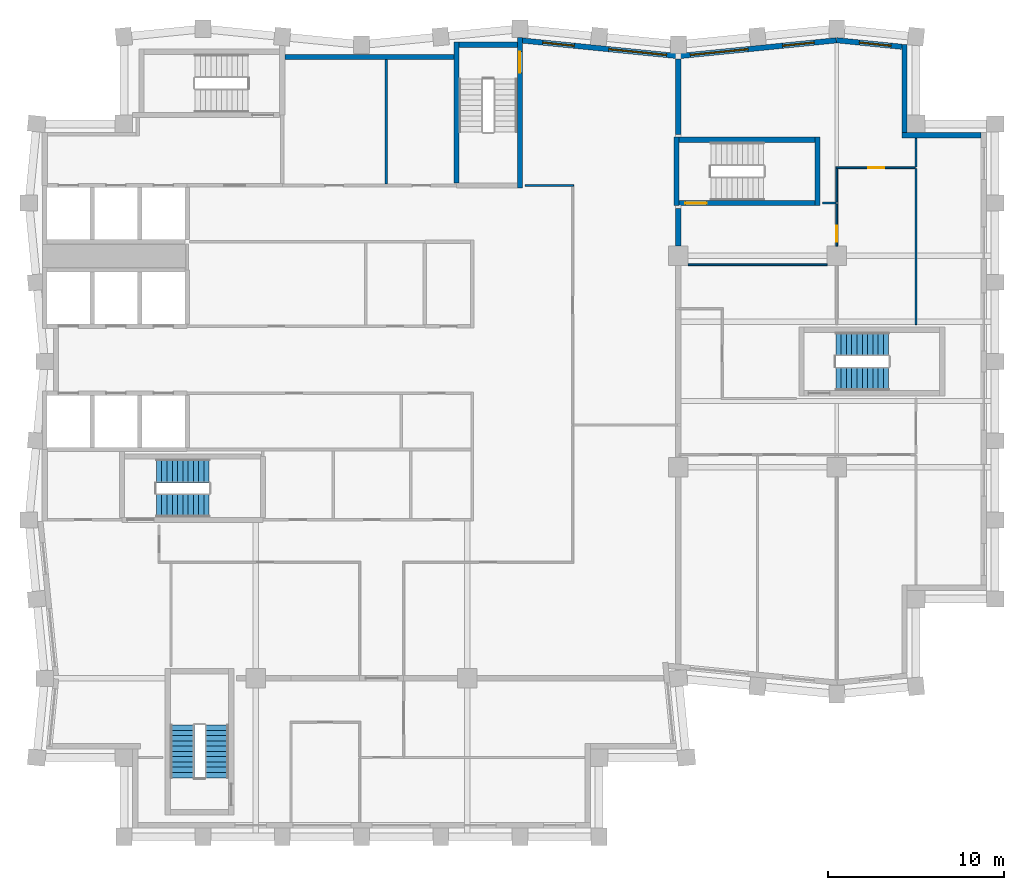
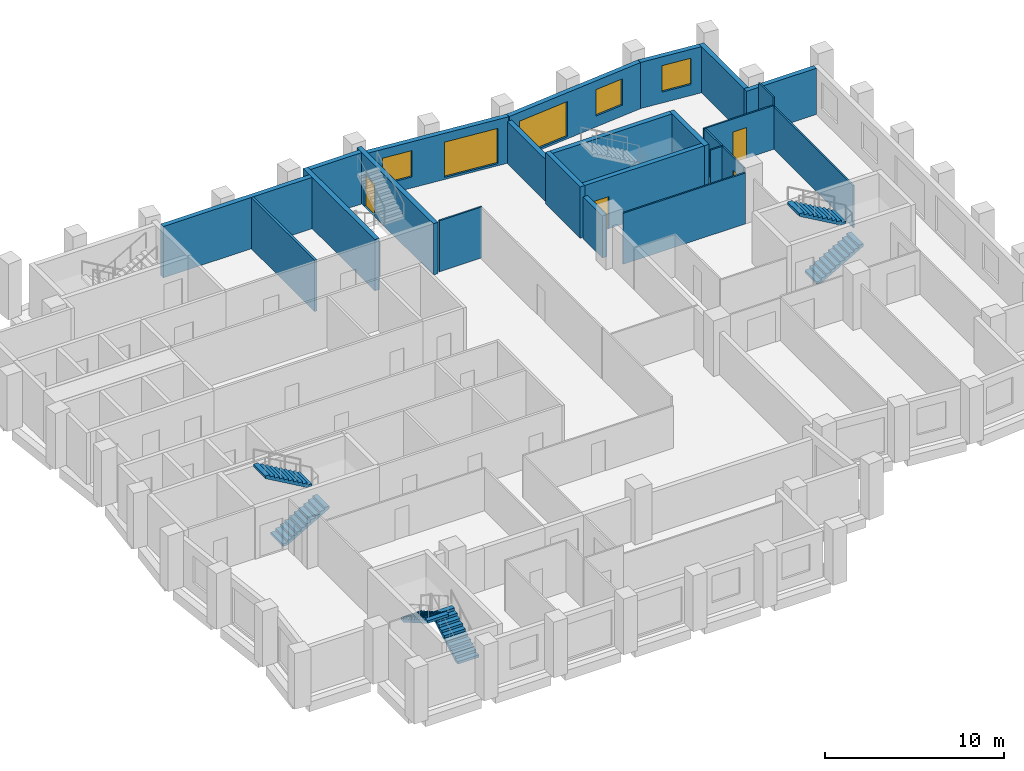
# One storey, part 6 of 8: 24 walls, 6 stair flights, 5 windows, 4 doors, 9 openings, 3 elements without a shape of their own.
"""IFC4 building model written with IfcOpenShell, lengths in metres."""

import ifcopenshell
import ifcopenshell.guid

model = None  # the IFC model being written
_history = None  # IfcOwnerHistory: only IFC2X3 demands one
_inside = {}  # id of a spatial element -> (the spatial element, [elements in it])
_under = {}  # id of a project, library or spatial element -> (it, [spatial elements below it])
_declared = {}  # id of a project -> (the project, [libraries it declares])
_typed = {}  # id of a type object -> (the type object, [elements of that type])
_made_of = {}  # id of a material, layer set ... -> (it, [elements and type objects made of it])


def new_model(schema):
    """Start an empty IFC model of exactly this schema.

    Asked for "IFC4X3", IfcOpenShell would pick the latest addendum, in which some entities
    have other attributes; the version numbers below select the first issue.
    IFC2X3 requires an IfcOwnerHistory on every rooted entity: one is made here for all.
    """
    global model, _history
    if schema == "IFC4X3":
        model = ifcopenshell.file(schema_version=(4, 3, 0, 0))
    else:
        model = ifcopenshell.file(schema=schema)
    _inside.clear()
    _under.clear()
    _declared.clear()
    _typed.clear()
    _made_of.clear()
    _history = None
    if model.schema == "IFC2X3":
        org = make("IfcOrganization", Name="unknown")
        user = make(
            "IfcPersonAndOrganization",
            ThePerson=make("IfcPerson", FamilyName="unknown"),
            TheOrganization=org,
        )
        app = make(
            "IfcApplication",
            ApplicationDeveloper=org,
            Version="unknown",
            ApplicationFullName="unknown",
            ApplicationIdentifier="unknown",
        )
        _history = make(
            "IfcOwnerHistory",
            OwningUser=user,
            OwningApplication=app,
            ChangeAction="ADDED",
            CreationDate=0,
        )
    return model


def make(cls, **values):
    """One entity of the class cls with the attributes given. An attribute that is None is left unset."""
    return model.create_entity(
        cls, **{name: value for name, value in values.items() if value is not None}
    )


def rooted(cls, **values):
    """An entity with a GlobalId (a new one), such as an element, a storey or a relation."""
    return make(cls, GlobalId=ifcopenshell.guid.new(), OwnerHistory=_history, **values)


def si_unit(unit_type, name, prefix=None):
    """IfcSIUnit, for example si_unit("LENGTHUNIT", "METRE", prefix="MILLI")."""
    return make("IfcSIUnit", UnitType=unit_type, Prefix=prefix, Name=name)


def assignment(units):
    """IfcUnitAssignment: the units of a project."""
    return None if units is None else make("IfcUnitAssignment", Units=units)


def point(xyz):
    """IfcCartesianPoint."""
    return None if xyz is None else make("IfcCartesianPoint", Coordinates=xyz)


def direction(xyz):
    """IfcDirection."""
    return None if xyz is None else make("IfcDirection", DirectionRatios=xyz)


def frame(location, z_axis=None, x_axis=None):
    """IfcAxis2Placement3D, a coordinate frame: its origin and axes. An axis left out is left unset."""
    return make(
        "IfcAxis2Placement3D",
        Location=point(location),
        Axis=direction(z_axis),
        RefDirection=direction(x_axis),
    )


def frame_2d(location, x_axis=None):
    """IfcAxis2Placement2D, a coordinate frame in the plane: its origin and x axis."""
    return make(
        "IfcAxis2Placement2D", Location=point(location), RefDirection=direction(x_axis)
    )


def origin():
    """The frame at (0, 0, 0) with its axes left unset."""
    return frame((0.0, 0.0, 0.0))


def place(relative_to, where):
    """IfcLocalPlacement: puts the frame where relative to a parent placement (None: the world)."""
    return make(
        "IfcLocalPlacement", PlacementRelTo=relative_to, RelativePlacement=where
    )


def context(
    kind, dimensions, precision=None, world=None, true_north=None, identifier=None
):
    """IfcGeometricRepresentationContext, for example the 3D "Model" context."""
    return make(
        "IfcGeometricRepresentationContext",
        ContextIdentifier=identifier,
        ContextType=kind,
        CoordinateSpaceDimension=dimensions,
        Precision=precision,
        WorldCoordinateSystem=world,
        TrueNorth=true_north,
    )


def subcontext(parent, identifier, kind, view, scale=None):
    """IfcGeometricRepresentationSubContext, for example "Body" below "Model"."""
    return make(
        "IfcGeometricRepresentationSubContext",
        ContextIdentifier=identifier,
        ContextType=kind,
        ParentContext=parent,
        TargetScale=scale,
        TargetView=view,
    )


def project(units=None, contexts=None):
    """IfcProject with its units and contexts."""
    return rooted(
        "IfcProject",
        Name="project",
        RepresentationContexts=contexts,
        UnitsInContext=assignment(units),
    )


def spatial(cls, under=None, at=None, **own):
    """A site, building, storey or space (cls), placed at a placement, below another one or the project."""
    s = rooted(cls, ObjectPlacement=at, **own)
    if under is not None:
        _under.setdefault(under.id(), (under, []))[1].append(s)
    return s


def polyline(points):
    """IfcPolyline through the points."""
    return make("IfcPolyline", Points=[point(p) for p in points])


def profile(cls, at=None, kind="AREA", **sizes):
    """A parametric profile (cls). Its sizes go by their IFC names, for example OverallWidth=200.0."""
    return make(cls, ProfileType=kind, Position=at, **sizes)


def rectangle(**sizes):
    """IfcRectangleProfileDef."""
    return profile("IfcRectangleProfileDef", **sizes)


def outline(outer, holes=None, kind="AREA"):
    """IfcArbitraryClosedProfileDef: a profile drawn as a closed curve; with holes, ...WithVoids."""
    if holes is None:
        return make("IfcArbitraryClosedProfileDef", ProfileType=kind, OuterCurve=outer)
    return make(
        "IfcArbitraryProfileDefWithVoids",
        ProfileType=kind,
        OuterCurve=outer,
        InnerCurves=holes,
    )


def extrude(swept, where, along, depth):
    """IfcExtrudedAreaSolid: the profile swept, set in the frame where, extruded along a direction by depth."""
    return make(
        "IfcExtrudedAreaSolid",
        SweptArea=swept,
        Position=where,
        ExtrudedDirection=direction(along),
        Depth=depth,
    )


def shape(context_of_items, identifier, shape_type, items):
    """IfcShapeRepresentation: the items that make up one representation, for example the "Body"."""
    return make(
        "IfcShapeRepresentation",
        ContextOfItems=context_of_items,
        RepresentationIdentifier=identifier,
        RepresentationType=shape_type,
        Items=items,
    )


def material(Name=None, Category=None):
    """IfcMaterial."""
    return make("IfcMaterial", Name=Name, Category=Category)


def layer(
    of_material, thickness, ventilated=None, Name=None, Category=None, Priority=None
):
    """IfcMaterialLayer: one layer of a wall or slab, of a material (None: an air gap)."""
    return make(
        "IfcMaterialLayer",
        Material=of_material,
        LayerThickness=thickness,
        IsVentilated=ventilated,
        Name=Name,
        Category=Category,
        Priority=Priority,
    )


def layer_set(layers, Name=None):
    """IfcMaterialLayerSet."""
    return make("IfcMaterialLayerSet", MaterialLayers=layers, LayerSetName=Name)


def made_of(thing, what):
    """Note that an element or type object is made of a material, layer set ...; save() writes the relation."""
    if what is not None:
        _made_of.setdefault(what.id(), (what, []))[1].append(thing)
    return thing


def type_object(cls, material=None, **own):
    """A type object (cls), such as IfcWallType, which elements share."""
    return made_of(rooted(cls, **own), material)


def element(
    cls,
    number,
    at=None,
    inside=None,
    cuts=None,
    type_object=None,
    material=None,
    context=None,
    identifier="Body",
    shape_type=None,
    held_by="IfcProductDefinitionShape",
    body=None,
    shapes=None,
    **own,
):
    """One element of the class cls, such as IfcWall. Its Tag is "e" and its number.

    at: its placement. inside: the storey or other place that contains it. cuts: it is an
    opening in that element (IfcRelVoidsElement). A single representation is given by context,
    identifier, shape_type and body (its items); several are given by shapes. held_by: the class
    of the entity that holds the representations. save() writes the other relations.
    """
    e = rooted(cls, Tag="e%d" % number, ObjectPlacement=at, **own)
    if body is not None:
        shapes = [shape(context, identifier, shape_type, body)]
    if shapes is not None:
        e.Representation = make(held_by, Representations=shapes)
    if inside is not None:
        _inside.setdefault(inside.id(), (inside, []))[1].append(e)
    if cuts is not None:
        rooted(
            "IfcRelVoidsElement", RelatingBuildingElement=cuts, RelatedOpeningElement=e
        )
    if type_object is not None:
        _typed.setdefault(type_object.id(), (type_object, []))[1].append(e)
    return made_of(e, material)


def fill(opening, filler):
    """IfcRelFillsElement: the door or window that sits in an opening."""
    return rooted(
        "IfcRelFillsElement",
        RelatingOpeningElement=opening,
        RelatedBuildingElement=filler,
    )


def aggregate(whole, parts):
    """IfcRelAggregates: a whole, such as a stair, and the parts it consists of."""
    return rooted("IfcRelAggregates", RelatingObject=whole, RelatedObjects=parts)


def save(model, path):
    """Write the relations noted so far, then the file.

    IfcRelAggregates (storeys below a building ...), IfcRelContainedInSpatialStructure (elements
    in a storey), IfcRelDefinesByType, IfcRelAssociatesMaterial and IfcRelDeclares: one each for
    every whole, place, type object, material and project.
    """
    for whole, parts in _under.values():
        aggregate(whole, parts)
    for where, things in _inside.values():
        rooted(
            "IfcRelContainedInSpatialStructure",
            RelatedElements=things,
            RelatingStructure=where,
        )
    for kind, things in _typed.values():
        rooted("IfcRelDefinesByType", RelatedObjects=things, RelatingType=kind)
    for what, things in _made_of.values():
        rooted("IfcRelAssociatesMaterial", RelatedObjects=things, RelatingMaterial=what)
    for by, libraries in _declared.values():
        rooted("IfcRelDeclares", RelatingContext=by, RelatedDefinitions=libraries)
    model.write(path)


model = new_model("IFC4")

# Units and contexts
model_context = context("Model", 3, precision=1e-05, world=origin(), true_north=direction((0.0, 1.0)))
body_context = subcontext(model_context, "Body", "Model", "MODEL_VIEW")
ifc_project = project(units=[si_unit("LENGTHUNIT", "METRE"), si_unit("AREAUNIT", "SQUARE_METRE"), si_unit("VOLUMEUNIT", "CUBIC_METRE"), si_unit("PLANEANGLEUNIT", "RADIAN"), si_unit("MASSUNIT", "GRAM", prefix="KILO")], contexts=[model_context])

# Site, building, storey
site_placement = place(None, origin())
site = spatial("IfcSite", under=ifc_project, at=site_placement, CompositionType="ELEMENT")
building_placement = place(site_placement, origin())
building = spatial("IfcBuilding", under=site, at=building_placement, Name="Brondeck Convention Tower", CompositionType="ELEMENT")
storey_placement = place(building_placement, frame((0.0, 0.0, 210.199951171875)))
storey = spatial("IfcBuildingStorey", under=building, at=storey_placement, Name="L51", CompositionType="ELEMENT", Elevation=210.199951171875)

# Walls
ifc_material_1 = material(Name="Concrete compartment wall C30/37", Category="concrete")
ifc_layer_1 = layer(ifc_material_1, 0.300048828125)
ifc_layer_set_1 = layer_set([ifc_layer_1], Name="Compartment wall 300")
wall_type_1 = type_object("IfcWallType", Name="Compartment wall 300", PredefinedType="PARTITIONING", material=ifc_layer_set_1)
wall_1_placement = place(storey_placement, frame((36.0, 51.554931640625, 0.0), z_axis=(0.0, 0.0, 1.0), x_axis=(0.0, 1.0, 0.0)))
element("IfcWall", 1, at=wall_1_placement, inside=storey, type_object=wall_type_1, Name="FLR-L51-W047", PredefinedType="PARTITIONING", context=body_context, shape_type="SweptSolid", body=[
    extrude(rectangle(XDim=2.14501953125, YDim=0.300048828125, at=frame_2d((1.072509765625, 0.0))), origin(), (0.0, 0.0, 1.0), 2.880126953125),
])
wall_2_placement = place(storey_placement, frame((36.0, 57.89990234375, 0.0), z_axis=(0.0, 0.0, 1.0), x_axis=(0.0, 1.0, 0.0)))
element("IfcWall", 2, at=wall_2_placement, inside=storey, type_object=wall_type_1, Name="FLR-L51-W055", PredefinedType="PARTITIONING", context=body_context, shape_type="SweptSolid", body=[
    extrude(rectangle(XDim=4.2763671875, YDim=0.300048828125, at=frame_2d((2.13818359375, 0.0))), origin(), (0.0, 0.0, 1.0), 2.880126953125),
])
ifc_material_2 = material(Name="Concrete C50/60", Category="concrete")
ifc_layer_2 = layer(ifc_material_2, 0.300048828125)
ifc_layer_set_2 = layer_set([ifc_layer_2], Name="Core outer wall 300 Concrete C50/60")
wall_type_2 = type_object("IfcWallType", Name="Core outer wall 300 Concrete C50/60", PredefinedType="SHEAR", material=ifc_layer_set_2)
wall_3_placement = place(storey_placement, frame((13.64990234375, 62.300048828125, 0.0), z_axis=(0.0, 0.0, 1.0), x_axis=(1.0, 0.0, 0.0)))
element("IfcWall", 3, at=wall_3_placement, inside=storey, type_object=wall_type_2, Name="L51 core wall", PredefinedType="SHEAR", context=body_context, shape_type="SweptSolid", body=[
    extrude(rectangle(XDim=9.60009765625, YDim=0.300048828125, at=frame_2d((4.800048828125, 0.0))), origin(), (0.0, 0.0, 1.0), 3.5),
])
ifc_material_3 = material(Name="Fire-rated gypsum board partition")
ifc_layer_3 = layer(ifc_material_3, 0.14990234375)
ifc_layer_set_3 = layer_set([ifc_layer_3], Name="Core partition 150 EI 60")
wall_type_3 = type_object("IfcWallType", Name="Core partition 150 EI 60", PredefinedType="PARTITIONING", material=ifc_layer_set_3)
wall_4_placement = place(storey_placement, frame((19.39990234375, 55.074951171875, 0.0), z_axis=(0.0, 0.0, 1.0), x_axis=(0.0, 1.0, 0.0)))
element("IfcWall", 4, at=wall_4_placement, inside=storey, type_object=wall_type_3, Name="L51 core wall", PredefinedType="PARTITIONING", context=body_context, shape_type="SweptSolid", body=[
    extrude(rectangle(XDim=7.074951171875, YDim=0.14990234375, at=frame_2d((3.53759765625, 0.0))), origin(), (0.0, 0.0, 1.0), 3.5),
])
ifc_material_4 = material(Name="Precast concrete C50/60 bronze finish", Category="concrete")
ifc_layer_4 = layer(ifc_material_4, 0.070068359375, Name="Bronze precast facing")
ifc_material_5 = material(Name="Mineral wool")
ifc_layer_5 = layer(ifc_material_5, 0.159912109375, Name="Insulation")
ifc_material_6 = material(Name="Concrete C35/45", Category="concrete")
ifc_layer_6 = layer(ifc_material_6, 0.070068359375, Name="Backing")
ifc_layer_set_4 = layer_set([ifc_layer_4, ifc_layer_5, ifc_layer_6], Name="External infill wall, precast concrete C50/60 bronze facing")
wall_type_4 = type_object("IfcWallType", Name="External infill wall, precast concrete C50/60 bronze facing", PredefinedType="SOLIDWALL", material=ifc_layer_set_4)
wall_5_placement = place(storey_placement, frame((48.699951171875, 57.85009765625, 0.0), z_axis=(0.0, 0.0, 1.0), x_axis=(1.0, 0.0, 0.0)))
element("IfcWall", 5, at=wall_5_placement, inside=storey, type_object=wall_type_4, Name="ENV-EW-L51-P2-NC-NEA54-01", PredefinedType="SOLIDWALL", context=body_context, shape_type="SweptSolid", body=[
    extrude(rectangle(XDim=4.501953125, YDim=0.300048828125, at=frame_2d((2.2509765625, 0.0))), origin(), (0.0, 0.0, 1.0), 3.150146484375),
])
wall_6_placement = place(storey_placement, frame((48.85009765625, 62.99755859375, 0.0), z_axis=(0.0, 0.0, 1.0), x_axis=(0.0, -1.0, 0.0)))
element("IfcWall", 6, at=wall_6_placement, inside=storey, type_object=wall_type_4, Name="ENV-EW-L51-P2-NC-NEA54-02", PredefinedType="SOLIDWALL", context=body_context, shape_type="SweptSolid", body=[
    extrude(rectangle(XDim=4.99951171875, YDim=0.300048828125, at=frame_2d((2.499755859375, 0.0))), origin(), (0.0, 0.0, 1.0), 3.150146484375),
])

# Wall, opening, window
wall_7_placement = place(storey_placement, frame((44.985107421875, 63.248291015625, 0.0), z_axis=(0.0, 0.0, 1.0), x_axis=(0.995037837869, -0.099497242219, 0.0)))
wall_7 = element("IfcWall", 7, at=wall_7_placement, inside=storey, type_object=wall_type_4, Name="ENV-EW-L51-P2-A-N-10", PredefinedType="SOLIDWALL", context=body_context, shape_type="SweptSolid", body=[
    extrude(rectangle(XDim=3.732177734375, YDim=0.300048828125, at=frame_2d((1.8662109375, 0.0))), origin(), (0.0, 0.0, 1.0), 3.150146484375),
])
opening_1_placement = place(wall_7_placement, frame((1.311279296875, 0.0, 0.75)))
opening_1 = element("IfcOpeningElement", 8, at=opening_1_placement, cuts=wall_7, Name="Opening W10", PredefinedType="OPENING", context=body_context, shape_type="SweptSolid", body=[
    extrude(rectangle(XDim=1.800048828125, YDim=1.800048828125, at=frame_2d((0.89990234375, 0.89990234375))), frame((0.0, 0.159912109375, 0.0), z_axis=(0.0, -1.0, 0.0), x_axis=(1.0, 0.0, 0.0)), (0.0, 0.0, 1.0), 0.320068359375),
])
ifc_material_7 = material(Name="Bronze tinted double glazing", Category="glass")
window_type_1 = type_object("IfcWindowType", Name="Punched window, bronze tinted", PartitioningType="SINGLE_PANEL", PredefinedType="WINDOW", material=ifc_material_7)
window_1_placement = place(opening_1_placement, origin())
window_1 = element("IfcWindow", 9, at=window_1_placement, inside=storey, type_object=window_type_1, Name="ENV-WN-L51-P2-A-N-10", OverallHeight=1.800048828125, OverallWidth=1.800048828125, PartitioningType="SINGLE_PANEL", PredefinedType="WINDOW", context=body_context, shape_type="SweptSolid", body=[
    extrude(rectangle(XDim=1.800048828125, YDim=1.800048828125, at=frame_2d((0.89990234375, 0.89990234375))), frame((0.0, 0.030029296875, 0.0), z_axis=(0.0, -1.0, 0.0), x_axis=(1.0, 0.0, 0.0)), (0.0, 0.0, 1.0), 0.06005859375),
])
fill(opening_1, window_1)

# Wall, openings, windows
wall_8_placement = place(storey_placement, frame((35.985107421875, 62.34521484375, 0.0), z_axis=(0.0, 0.0, 1.0), x_axis=(0.995035316196, 0.099522457379, 0.0)))
wall_8 = element("IfcWall", 10, at=wall_8_placement, inside=storey, type_object=wall_type_4, Name="ENV-EW-L51-P2-A-N-09", PredefinedType="SOLIDWALL", context=body_context, shape_type="SweptSolid", body=[
    extrude(rectangle(XDim=9.030029296875, YDim=0.300048828125, at=frame_2d((4.51513671875, 0.0))), origin(), (0.0, 0.0, 1.0), 3.150146484375),
])
opening_2_placement = place(wall_8_placement, frame((0.691162109375, 0.0, 0.14990234375)))
opening_2 = element("IfcOpeningElement", 11, at=opening_2_placement, cuts=wall_8, Name="Opening W9", PredefinedType="OPENING", context=body_context, shape_type="SweptSolid", body=[
    extrude(rectangle(XDim=3.300048828125, YDim=2.39990234375, at=frame_2d((1.64990234375, 1.199951171875))), frame((0.0, 0.159912109375, 0.0), z_axis=(0.0, -1.0, 0.0), x_axis=(1.0, 0.0, 0.0)), (0.0, 0.0, 1.0), 0.320068359375),
])
opening_3_placement = place(wall_8_placement, frame((5.963623046875, 0.0, 0.75)))
opening_3 = element("IfcOpeningElement", 12, at=opening_3_placement, cuts=wall_8, Name="Opening W10", PredefinedType="OPENING", context=body_context, shape_type="SweptSolid", body=[
    extrude(rectangle(XDim=1.800048828125, YDim=1.800048828125, at=frame_2d((0.89990234375, 0.89990234375))), frame((0.0, 0.159912109375, 0.0), z_axis=(0.0, -1.0, 0.0), x_axis=(1.0, 0.0, 0.0)), (0.0, 0.0, 1.0), 0.320068359375),
])
window_type_2 = type_object("IfcWindowType", Name="Glazed flute window, bronze tinted", PartitioningType="SINGLE_PANEL", PredefinedType="WINDOW", material=ifc_material_7)
window_2_placement = place(opening_2_placement, origin())
window_2 = element("IfcWindow", 13, at=window_2_placement, inside=storey, type_object=window_type_2, Name="ENV-WN-L51-P2-A-N-08", OverallHeight=2.39990234375, OverallWidth=3.300048828125, PartitioningType="SINGLE_PANEL", PredefinedType="WINDOW", context=body_context, shape_type="SweptSolid", body=[
    extrude(rectangle(XDim=3.300048828125, YDim=2.39990234375, at=frame_2d((1.64990234375, 1.199951171875))), frame((0.0, 0.030029296875, 0.0), z_axis=(0.0, -1.0, 0.0), x_axis=(1.0, 0.0, 0.0)), (0.0, 0.0, 1.0), 0.06005859375),
])
fill(opening_2, window_2)
window_3_placement = place(opening_3_placement, origin())
window_3 = element("IfcWindow", 14, at=window_3_placement, inside=storey, type_object=window_type_1, Name="ENV-WN-L51-P2-A-N-09", OverallHeight=1.800048828125, OverallWidth=1.800048828125, PartitioningType="SINGLE_PANEL", PredefinedType="WINDOW", context=body_context, shape_type="SweptSolid", body=[
    extrude(rectangle(XDim=1.800048828125, YDim=1.800048828125, at=frame_2d((0.89990234375, 0.89990234375))), frame((0.0, 0.030029296875, 0.0), z_axis=(0.0, -1.0, 0.0), x_axis=(1.0, 0.0, 0.0)), (0.0, 0.0, 1.0), 0.06005859375),
])
fill(opening_3, window_3)

wall_9_placement = place(storey_placement, frame((27.084716796875, 63.23828125, 0.0), z_axis=(0.0, 0.0, 1.0), x_axis=(0.995035836657, -0.099517253618, 0.0)))
wall_9 = element("IfcWall", 15, at=wall_9_placement, inside=storey, type_object=wall_type_4, Name="ENV-EW-L51-P2-A-N-07", PredefinedType="SOLIDWALL", context=body_context, shape_type="SweptSolid", body=[
    extrude(rectangle(XDim=8.929931640625, YDim=0.300048828125, at=frame_2d((4.46484375, 0.0))), origin(), (0.0, 0.0, 1.0), 3.150146484375),
])
opening_4_placement = place(wall_9_placement, frame((1.211181640625, 0.0, 0.75)))
opening_4 = element("IfcOpeningElement", 16, at=opening_4_placement, cuts=wall_9, Name="Opening W10", PredefinedType="OPENING", context=body_context, shape_type="SweptSolid", body=[
    extrude(rectangle(XDim=1.800048828125, YDim=1.800048828125, at=frame_2d((0.89990234375, 0.89990234375))), frame((0.0, 0.159912109375, 0.0), z_axis=(0.0, -1.0, 0.0), x_axis=(1.0, 0.0, 0.0)), (0.0, 0.0, 1.0), 0.320068359375),
])
opening_5_placement = place(wall_9_placement, frame((4.983642578125, 0.0, 0.14990234375)))
opening_5 = element("IfcOpeningElement", 17, at=opening_5_placement, cuts=wall_9, Name="Opening W9", PredefinedType="OPENING", context=body_context, shape_type="SweptSolid", body=[
    extrude(rectangle(XDim=3.300048828125, YDim=2.39990234375, at=frame_2d((1.64990234375, 1.199951171875))), frame((0.0, 0.159912109375, 0.0), z_axis=(0.0, -1.0, 0.0), x_axis=(1.0, 0.0, 0.0)), (0.0, 0.0, 1.0), 0.320068359375),
])
window_4_placement = place(opening_5_placement, origin())
window_4 = element("IfcWindow", 18, at=window_4_placement, inside=storey, type_object=window_type_2, Name="ENV-WN-L51-P2-A-N-07", OverallHeight=2.39990234375, OverallWidth=3.300048828125, PartitioningType="SINGLE_PANEL", PredefinedType="WINDOW", context=body_context, shape_type="SweptSolid", body=[
    extrude(rectangle(XDim=3.300048828125, YDim=2.39990234375, at=frame_2d((1.64990234375, 1.199951171875))), frame((0.0, 0.030029296875, 0.0), z_axis=(0.0, -1.0, 0.0), x_axis=(1.0, 0.0, 0.0)), (0.0, 0.0, 1.0), 0.06005859375),
])
fill(opening_5, window_4)
window_5_placement = place(opening_4_placement, origin())
window_5 = element("IfcWindow", 19, at=window_5_placement, inside=storey, type_object=window_type_1, Name="ENV-WN-L51-P2-A-N-06", OverallHeight=1.800048828125, OverallWidth=1.800048828125, PartitioningType="SINGLE_PANEL", PredefinedType="WINDOW", context=body_context, shape_type="SweptSolid", body=[
    extrude(rectangle(XDim=1.800048828125, YDim=1.800048828125, at=frame_2d((0.89990234375, 0.89990234375))), frame((0.0, 0.030029296875, 0.0), z_axis=(0.0, -1.0, 0.0), x_axis=(1.0, 0.0, 0.0)), (0.0, 0.0, 1.0), 0.06005859375),
])
fill(opening_4, window_5)

# Walls
ifc_material_8 = material(Name="Gypsum board partition on steel studs", Category="steel")
ifc_layer_7 = layer(ifc_material_8, 0.10009765625)
ifc_layer_set_5 = layer_set([ifc_layer_7], Name="Room partition 100")
wall_type_5 = type_object("IfcWallType", Name="Room partition 100", PredefinedType="PARTITIONING", material=ifc_layer_set_5)
wall_10_placement = place(storey_placement, frame((49.5, 47.10009765625, 0.0), z_axis=(0.0, 0.0, 1.0), x_axis=(0.0, 1.0, 0.0)))
element("IfcWall", 20, at=wall_10_placement, inside=storey, type_object=wall_type_5, Name="FLR-L51-W041", PredefinedType="PARTITIONING", context=body_context, shape_type="SweptSolid", body=[
    extrude(rectangle(XDim=8.849853515625, YDim=0.10009765625, at=frame_2d((4.4248046875, 0.0))), origin(), (0.0, 0.0, 1.0), 2.880126953125),
])
wall_11_placement = place(storey_placement, frame((44.445068359375, 50.5, 0.0), z_axis=(0.0, 0.0, 1.0), x_axis=(-1.0, 0.0, 0.0)))
element("IfcWall", 21, at=wall_11_placement, inside=storey, type_object=wall_type_5, Name="FLR-L51-W046", PredefinedType="PARTITIONING", context=body_context, shape_type="SweptSolid", body=[
    extrude(rectangle(XDim=7.89013671875, YDim=0.10009765625, at=frame_2d((3.945068359375, 0.0))), origin(), (0.0, 0.0, 1.0), 3.47998046875),
])

# Wall, opening, door
wall_12_placement = place(storey_placement, frame((45.0, 53.949951171875, 0.0), z_axis=(0.0, 0.0, 1.0), x_axis=(0.0, -1.0, 0.0)))
wall_12 = element("IfcWall", 22, at=wall_12_placement, inside=storey, type_object=wall_type_5, Name="FLR-L51-W048", PredefinedType="PARTITIONING", context=body_context, shape_type="SweptSolid", body=[
    extrude(rectangle(XDim=2.39501953125, YDim=0.10009765625, at=frame_2d((1.197509765625, 0.0))), origin(), (0.0, 0.0, 1.0), 2.97998046875),
])
opening_6_placement = place(wall_12_placement, frame((1.25, 0.0, 0.0)))
opening_6 = element("IfcOpeningElement", 23, at=opening_6_placement, cuts=wall_12, Name="Opening OF-L-007", PredefinedType="OPENING", context=body_context, shape_type="SweptSolid", body=[
    extrude(rectangle(XDim=0.89990234375, YDim=2.10009765625, at=frame_2d((0.449951171875, 1.050048828125))), frame((0.0, 0.06005859375, 0.0), z_axis=(0.0, -1.0, 0.0), x_axis=(1.0, 0.0, 0.0)), (0.0, 0.0, 1.0), 0.1201171875),
])
ifc_material_9 = material(Name="Solid timber door leaf", Category="wood")
door_type_1 = type_object("IfcDoorType", Name="Single door 900", OperationType="NOTDEFINED", PredefinedType="DOOR", material=ifc_material_9)
door_1_placement = place(opening_6_placement, origin())
door_1 = element("IfcDoor", 24, at=door_1_placement, inside=storey, type_object=door_type_1, Name="Door OF-L-007", OperationType="SINGLE_SWING_LEFT", OverallHeight=2.10009765625, OverallWidth=0.89990234375, PredefinedType="DOOR", context=body_context, shape_type="SweptSolid", body=[
    extrude(rectangle(XDim=0.89990234375, YDim=2.10009765625, at=frame_2d((0.449951171875, 1.050048828125))), frame((0.0, 0.02490234375, 0.0), z_axis=(0.0, -1.0, 0.0), x_axis=(1.0, 0.0, 0.0)), (0.0, 0.0, 1.0), 0.050048828125),
])
fill(opening_6, door_1)

# Walls
wall_13_placement = place(storey_placement, frame((44.199951171875, 54.0, 0.0), z_axis=(0.0, 0.0, 1.0), x_axis=(1.0, 0.0, 0.0)))
element("IfcWall", 25, at=wall_13_placement, inside=storey, type_object=wall_type_5, Name="FLR-L51-W049", PredefinedType="PARTITIONING", context=body_context, shape_type="SweptSolid", body=[
    extrude(rectangle(XDim=0.75, YDim=0.10009765625, at=frame_2d((0.375, 0.0))), origin(), (0.0, 0.0, 1.0), 2.97998046875),
])
wall_14_placement = place(storey_placement, frame((45.0, 54.050048828125, 0.0), z_axis=(0.0, 0.0, 1.0), x_axis=(0.0, 1.0, 0.0)))
element("IfcWall", 26, at=wall_14_placement, inside=storey, type_object=wall_type_5, Name="FLR-L51-W050", PredefinedType="PARTITIONING", context=body_context, shape_type="SweptSolid", body=[
    extrude(rectangle(XDim=1.89990234375, YDim=0.10009765625, at=frame_2d((0.949951171875, 0.0))), origin(), (0.0, 0.0, 1.0), 2.97998046875),
])
wall_15_placement = place(storey_placement, frame((27.300048828125, 55.0, 0.0), z_axis=(0.0, 0.0, 1.0), x_axis=(1.0, 0.0, 0.0)))
element("IfcWall", 27, at=wall_15_placement, inside=storey, type_object=wall_type_5, Name="FLR-L51-W052", PredefinedType="PARTITIONING", context=body_context, shape_type="SweptSolid", body=[
    extrude(rectangle(XDim=2.75, YDim=0.10009765625, at=frame_2d((1.375, 0.0))), origin(), (0.0, 0.0, 1.0), 3.47998046875),
])

# Wall, opening, door
wall_16_placement = place(storey_placement, frame((44.949951171875, 56.0, 0.0), z_axis=(0.0, 0.0, 1.0), x_axis=(1.0, 0.0, 0.0)))
wall_16 = element("IfcWall", 28, at=wall_16_placement, inside=storey, type_object=wall_type_5, Name="FLR-L51-W053", PredefinedType="PARTITIONING", context=body_context, shape_type="SweptSolid", body=[
    extrude(rectangle(XDim=4.5, YDim=0.10009765625, at=frame_2d((2.25, 0.0))), origin(), (0.0, 0.0, 1.0), 2.97998046875),
])
opening_7_placement = place(wall_16_placement, frame((1.85009765625, 0.0, 0.0)))
opening_7 = element("IfcOpeningElement", 29, at=opening_7_placement, cuts=wall_16, Name="Opening OF-L-008", PredefinedType="OPENING", context=body_context, shape_type="SweptSolid", body=[
    extrude(rectangle(XDim=0.89990234375, YDim=2.10009765625, at=frame_2d((0.449951171875, 1.050048828125))), frame((0.0, 0.06005859375, 0.0), z_axis=(0.0, -1.0, 0.0), x_axis=(1.0, 0.0, 0.0)), (0.0, 0.0, 1.0), 0.1201171875),
])
door_2_placement = place(opening_7_placement, origin())
door_2 = element("IfcDoor", 30, at=door_2_placement, inside=storey, type_object=door_type_1, Name="Door OF-L-008", OperationType="SINGLE_SWING_LEFT", OverallHeight=2.10009765625, OverallWidth=0.89990234375, PredefinedType="DOOR", context=body_context, shape_type="SweptSolid", body=[
    extrude(rectangle(XDim=0.89990234375, YDim=2.10009765625, at=frame_2d((0.449951171875, 1.050048828125))), frame((0.0, 0.02490234375, 0.0), z_axis=(0.0, -1.0, 0.0), x_axis=(1.0, 0.0, 0.0)), (0.0, 0.0, 1.0), 0.050048828125),
])
fill(opening_7, door_2)

# Wall
wall_17_placement = place(storey_placement, frame((49.5, 56.050048828125, 0.0), z_axis=(0.0, 0.0, 1.0), x_axis=(0.0, 1.0, 0.0)))
element("IfcWall", 31, at=wall_17_placement, inside=storey, type_object=wall_type_5, Name="FLR-L51-W054", PredefinedType="PARTITIONING", context=body_context, shape_type="SweptSolid", body=[
    extrude(rectangle(XDim=1.6298828125, YDim=0.10009765625, at=frame_2d((0.81494140625, 0.0))), origin(), (0.0, 0.0, 1.0), 3.47998046875),
])

# Wall, opening, door
ifc_layer_8 = layer(ifc_material_2, 0.300048828125)
ifc_layer_set_6 = layer_set([ifc_layer_8], Name="Stair enclosure wall 300 Concrete C50/60")
wall_type_6 = type_object("IfcWallType", Name="Stair enclosure wall 300 Concrete C50/60", PredefinedType="SHEAR", material=ifc_layer_set_6)
wall_18_placement = place(storey_placement, frame((36.050048828125, 54.0, 0.0), z_axis=(0.0, 0.0, 1.0), x_axis=(1.0, 0.0, 0.0)))
wall_18 = element("IfcWall", 32, at=wall_18_placement, inside=storey, type_object=wall_type_6, Name="L51 core wall", PredefinedType="SHEAR", context=body_context, shape_type="SweptSolid", body=[
    extrude(rectangle(XDim=7.699951171875, YDim=0.300048828125, at=frame_2d((3.85009765625, 0.0))), origin(), (0.0, 0.0, 1.0), 3.5),
])
opening_8_placement = place(wall_18_placement, frame((0.35009765625, 0.0, 0.0)))
opening_8 = element("IfcOpeningElement", 33, at=opening_8_placement, cuts=wall_18, Name="Opening C29-16", PredefinedType="OPENING", context=body_context, shape_type="SweptSolid", body=[
    extrude(rectangle(XDim=1.199951171875, YDim=2.199951171875, at=frame_2d((0.60009765625, 1.10009765625))), frame((0.0, 0.159912109375, 0.0), z_axis=(0.0, -1.0, 0.0), x_axis=(1.0, 0.0, 0.0)), (0.0, 0.0, 1.0), 0.320068359375),
])
ifc_material_10 = material(Name="Steel fire door", Category="steel")
door_type_2 = type_object("IfcDoorType", Name="Stair door 1200x2200 EI 90", OperationType="NOTDEFINED", PredefinedType="DOOR", material=ifc_material_10)
door_3_placement = place(opening_8_placement, origin())
door_3 = element("IfcDoor", 34, at=door_3_placement, inside=storey, type_object=door_type_2, Name="L51 Stair door ST-AE", OperationType="SINGLE_SWING_LEFT", OverallHeight=2.199951171875, OverallWidth=1.199951171875, PredefinedType="DOOR", context=body_context, shape_type="SweptSolid", body=[
    extrude(rectangle(XDim=1.199951171875, YDim=2.199951171875, at=frame_2d((0.60009765625, 1.10009765625))), frame((0.0, 0.02490234375, 0.0), z_axis=(0.0, -1.0, 0.0), x_axis=(1.0, 0.0, 0.0)), (0.0, 0.0, 1.0), 0.050048828125),
])
fill(opening_8, door_3)

# Walls
wall_19_placement = place(storey_placement, frame((36.050048828125, 57.60009765625, 0.0), z_axis=(0.0, 0.0, 1.0), x_axis=(1.0, 0.0, 0.0)))
element("IfcWall", 35, at=wall_19_placement, inside=storey, type_object=wall_type_6, Name="L51 core wall", PredefinedType="SHEAR", context=body_context, shape_type="SweptSolid", body=[
    extrude(rectangle(XDim=7.699951171875, YDim=0.300048828125, at=frame_2d((3.85009765625, 0.0))), origin(), (0.0, 0.0, 1.0), 3.5),
])
wall_20_placement = place(storey_placement, frame((23.550048828125, 63.0, 0.0), z_axis=(0.0, 0.0, 1.0), x_axis=(1.0, 0.0, 0.0)))
element("IfcWall", 36, at=wall_20_placement, inside=storey, type_object=wall_type_6, Name="L51 core wall", PredefinedType="SHEAR", context=body_context, shape_type="SweptSolid", body=[
    extrude(rectangle(XDim=3.300048828125, YDim=0.300048828125, at=frame_2d((1.64990234375, 0.0))), origin(), (0.0, 0.0, 1.0), 3.5),
])
wall_21_placement = place(storey_placement, frame((23.39990234375, 55.14990234375, 0.0), z_axis=(0.0, 0.0, 1.0), x_axis=(0.0, 1.0, 0.0)))
element("IfcWall", 37, at=wall_21_placement, inside=storey, type_object=wall_type_6, Name="L51 core wall", PredefinedType="SHEAR", context=body_context, shape_type="SweptSolid", body=[
    extrude(rectangle(XDim=8.0, YDim=0.300048828125, at=frame_2d((4.0, 0.0))), origin(), (0.0, 0.0, 1.0), 3.5),
])

# Wall, opening, door
wall_22_placement = place(storey_placement, frame((27.0, 54.85009765625, 0.0), z_axis=(0.0, 0.0, 1.0), x_axis=(0.0, 1.0, 0.0)))
wall_22 = element("IfcWall", 38, at=wall_22_placement, inside=storey, type_object=wall_type_6, Name="L51 core wall", PredefinedType="SHEAR", context=body_context, shape_type="SweptSolid", body=[
    extrude(rectangle(XDim=8.5498046875, YDim=0.300048828125, at=frame_2d((4.27490234375, 0.0))), origin(), (0.0, 0.0, 1.0), 3.5),
])
opening_9_placement = place(wall_22_placement, frame((6.550048828125, 0.0, 0.0)))
opening_9 = element("IfcOpeningElement", 39, at=opening_9_placement, cuts=wall_22, Name="Opening C29-14", PredefinedType="OPENING", context=body_context, shape_type="SweptSolid", body=[
    extrude(rectangle(XDim=1.199951171875, YDim=2.199951171875, at=frame_2d((0.60009765625, 1.10009765625))), frame((0.0, 0.159912109375, 0.0), z_axis=(0.0, -1.0, 0.0), x_axis=(1.0, 0.0, 0.0)), (0.0, 0.0, 1.0), 0.320068359375),
])
door_4_placement = place(opening_9_placement, origin())
door_4 = element("IfcDoor", 40, at=door_4_placement, inside=storey, type_object=door_type_2, Name="L51 Stair door ST-2", OperationType="SINGLE_SWING_LEFT", OverallHeight=2.199951171875, OverallWidth=1.199951171875, PredefinedType="DOOR", context=body_context, shape_type="SweptSolid", body=[
    extrude(rectangle(XDim=1.199951171875, YDim=2.199951171875, at=frame_2d((0.60009765625, 1.10009765625))), frame((0.0, 0.02490234375, 0.0), z_axis=(0.0, -1.0, 0.0), x_axis=(1.0, 0.0, 0.0)), (0.0, 0.0, 1.0), 0.050048828125),
])
fill(opening_9, door_4)

# Walls
for number, where, z_axis, x_axis, name in (
    (41, (35.89990234375, 53.85009765625, 0.0), (0.0, 0.0, 1.0), (0.0, 1.0, 0.0), "L51 core wall"),
    (42, (43.89990234375, 53.85009765625, 0.0), (0.0, 0.0, 1.0), (0.0, 1.0, 0.0), "L51 core wall"),
):
    element("IfcWall", number, at=place(storey_placement, frame(where, z_axis=z_axis, x_axis=x_axis)), inside=storey, type_object=wall_type_6, Name=name, PredefinedType="SHEAR", context=body_context, shape_type="SweptSolid", body=[
        extrude(rectangle(XDim=3.89990234375, YDim=0.300048828125, at=frame_2d((1.949951171875, 0.0))), origin(), (0.0, 0.0, 1.0), 3.5),
    ])

# Stair, stair flights
ifc_material_11 = material(Name="Precast concrete C50/60", Category="concrete")
stair_type = type_object("IfcStairType", Name="Core stair 22 risers 172.73 mm riser 300 mm going 1350 wide", PredefinedType="HALF_TURN_STAIR", material=ifc_material_11)
stair_1_placement = place(storey_placement, origin())
stair_1 = element("IfcStair", 43, at=stair_1_placement, inside=storey, type_object=stair_type, Name="ST-1 L51 stair", PredefinedType="HALF_TURN_STAIR")
stair_flight_type = type_object("IfcStairFlightType", Name="Core stair flight 22 risers 172.73 mm riser 300 mm going 1350 wide", PredefinedType="STRAIGHT", material=ifc_material_11)
stair_flight_1_placement = place(storey_placement, frame((6.35009765625, 36.824951171875, 0.0), z_axis=(0.0, 0.0, 1.0), x_axis=(1.0, 0.0, 0.0)))
stair_flight_1 = element("IfcStairFlight", 44, at=stair_flight_1_placement, type_object=stair_flight_type, Name="ST-1 flight 1", NumberOfRisers=11, NumberOfTreads=10, PredefinedType="STRAIGHT", RiserHeight=0.172727273, TreadLength=0.3, context=body_context, shape_type="SweptSolid", body=[
    extrude(outline(polyline([(0.0, 0.0), (0.0, 0.172607421875), (0.300048828125, 0.172607421875), (0.300048828125, 0.345458984375), (0.60009765625, 0.345458984375), (0.60009765625, 0.51806640625), (0.89990234375, 0.51806640625), (0.89990234375, 0.69091796875), (1.199951171875, 0.69091796875), (1.199951171875, 0.863525390625), (1.5, 0.863525390625), (1.5, 1.036376953125), (1.800048828125, 1.036376953125), (1.800048828125, 1.208984375), (2.10009765625, 1.208984375), (2.10009765625, 1.3818359375), (2.39990234375, 1.3818359375), (2.39990234375, 1.554443359375), (2.699951171875, 1.554443359375), (2.699951171875, 1.727294921875), (3.0, 1.727294921875), (3.0, 1.89990234375), (3.0, 1.55419921875), (0.300537109375, 0.0), (0.0, 0.0)])), frame((0.0, 0.675048828125, 0.0), z_axis=(0.0, -1.0, 0.0), x_axis=(1.0, 0.0, 0.0)), (0.0, 0.0, 1.0), 1.35009765625),
])
stair_flight_2_placement = place(storey_placement, frame((9.35009765625, 38.77490234375, 1.900146484375), z_axis=(0.0, 0.0, 1.0), x_axis=(-1.0, 0.0, 0.0)))
stair_flight_2 = element("IfcStairFlight", 45, at=stair_flight_2_placement, type_object=stair_flight_type, Name="ST-1 flight 2", NumberOfRisers=11, NumberOfTreads=10, PredefinedType="STRAIGHT", RiserHeight=0.172727273, TreadLength=0.3, context=body_context, shape_type="SweptSolid", body=[
    extrude(outline(polyline([(0.0, 0.0), (0.0, 0.172607421875), (0.300048828125, 0.172607421875), (0.300048828125, 0.345458984375), (0.60009765625, 0.345458984375), (0.60009765625, 0.51806640625), (0.89990234375, 0.51806640625), (0.89990234375, 0.69091796875), (1.199951171875, 0.69091796875), (1.199951171875, 0.863525390625), (1.5, 0.863525390625), (1.5, 1.036376953125), (1.800048828125, 1.036376953125), (1.800048828125, 1.208984375), (2.10009765625, 1.208984375), (2.10009765625, 1.3818359375), (2.39990234375, 1.3818359375), (2.39990234375, 1.554443359375), (2.699951171875, 1.554443359375), (2.699951171875, 1.727294921875), (3.0, 1.727294921875), (3.0, 1.89990234375), (3.0, 1.55419921875), (0.300537109375, 0.0), (0.0, 0.0)])), frame((0.0, 0.675048828125, 0.0), z_axis=(0.0, -1.0, 0.0), x_axis=(1.0, 0.0, 0.0)), (0.0, 0.0, 1.0), 1.35009765625),
])
aggregate(stair_1, [stair_flight_1, stair_flight_2])

stair_2_placement = place(storey_placement, origin())
stair_2 = element("IfcStair", 46, at=stair_2_placement, inside=storey, type_object=stair_type, Name="ST-BE L51 stair", PredefinedType="HALF_TURN_STAIR")
stair_flight_3_placement = place(storey_placement, frame((9.77490234375, 21.35009765625, 0.0), z_axis=(0.0, 0.0, 1.0), x_axis=(0.0, 1.0, 0.0)))
stair_flight_3 = element("IfcStairFlight", 47, at=stair_flight_3_placement, type_object=stair_flight_type, Name="ST-BE flight 1", NumberOfRisers=11, NumberOfTreads=10, PredefinedType="STRAIGHT", RiserHeight=0.172727273, TreadLength=0.3, context=body_context, shape_type="SweptSolid", body=[
    extrude(outline(polyline([(0.0, 0.0), (0.0, 0.172607421875), (0.300048828125, 0.172607421875), (0.300048828125, 0.345458984375), (0.60009765625, 0.345458984375), (0.60009765625, 0.51806640625), (0.89990234375, 0.51806640625), (0.89990234375, 0.69091796875), (1.199951171875, 0.69091796875), (1.199951171875, 0.863525390625), (1.5, 0.863525390625), (1.5, 1.036376953125), (1.800048828125, 1.036376953125), (1.800048828125, 1.208984375), (2.10009765625, 1.208984375), (2.10009765625, 1.3818359375), (2.39990234375, 1.3818359375), (2.39990234375, 1.554443359375), (2.699951171875, 1.554443359375), (2.699951171875, 1.727294921875), (3.0, 1.727294921875), (3.0, 1.89990234375), (3.0, 1.55419921875), (0.300537109375, 0.0), (0.0, 0.0)])), frame((0.0, 0.675048828125, 0.0), z_axis=(0.0, -1.0, 0.0), x_axis=(1.0, 0.0, 0.0)), (0.0, 0.0, 1.0), 1.35009765625),
])
stair_flight_4_placement = place(storey_placement, frame((7.824951171875, 24.35009765625, 1.900146484375), z_axis=(0.0, 0.0, 1.0), x_axis=(0.0, -1.0, 0.0)))
stair_flight_4 = element("IfcStairFlight", 48, at=stair_flight_4_placement, type_object=stair_flight_type, Name="ST-BE flight 2", NumberOfRisers=11, NumberOfTreads=10, PredefinedType="STRAIGHT", RiserHeight=0.172727273, TreadLength=0.3, context=body_context, shape_type="SweptSolid", body=[
    extrude(outline(polyline([(0.0, 0.0), (0.0, 0.172607421875), (0.300048828125, 0.172607421875), (0.300048828125, 0.345458984375), (0.60009765625, 0.345458984375), (0.60009765625, 0.51806640625), (0.89990234375, 0.51806640625), (0.89990234375, 0.69091796875), (1.199951171875, 0.69091796875), (1.199951171875, 0.863525390625), (1.5, 0.863525390625), (1.5, 1.036376953125), (1.800048828125, 1.036376953125), (1.800048828125, 1.208984375), (2.10009765625, 1.208984375), (2.10009765625, 1.3818359375), (2.39990234375, 1.3818359375), (2.39990234375, 1.554443359375), (2.699951171875, 1.554443359375), (2.699951171875, 1.727294921875), (3.0, 1.727294921875), (3.0, 1.89990234375), (3.0, 1.55419921875), (0.300537109375, 0.0), (0.0, 0.0)])), frame((0.0, 0.675048828125, 0.0), z_axis=(0.0, -1.0, 0.0), x_axis=(1.0, 0.0, 0.0)), (0.0, 0.0, 1.0), 1.35009765625),
])
aggregate(stair_2, [stair_flight_3, stair_flight_4])

stair_3_placement = place(storey_placement, origin())
stair_3 = element("IfcStair", 49, at=stair_3_placement, inside=storey, type_object=stair_type, Name="ST-AF L51 stair", PredefinedType="HALF_TURN_STAIR")
stair_flight_5_placement = place(storey_placement, frame((44.949951171875, 44.02490234375, 0.0), z_axis=(0.0, 0.0, 1.0), x_axis=(1.0, 0.0, 0.0)))
stair_flight_5 = element("IfcStairFlight", 50, at=stair_flight_5_placement, type_object=stair_flight_type, Name="ST-AF flight 1", NumberOfRisers=11, NumberOfTreads=10, PredefinedType="STRAIGHT", RiserHeight=0.172727273, TreadLength=0.3, context=body_context, shape_type="SweptSolid", body=[
    extrude(outline(polyline([(0.0, 0.0), (0.0, 0.172607421875), (0.300048828125, 0.172607421875), (0.300048828125, 0.345458984375), (0.60009765625, 0.345458984375), (0.60009765625, 0.51806640625), (0.89990234375, 0.51806640625), (0.89990234375, 0.69091796875), (1.199951171875, 0.69091796875), (1.199951171875, 0.863525390625), (1.5, 0.863525390625), (1.5, 1.036376953125), (1.800048828125, 1.036376953125), (1.800048828125, 1.208984375), (2.10009765625, 1.208984375), (2.10009765625, 1.3818359375), (2.39990234375, 1.3818359375), (2.39990234375, 1.554443359375), (2.699951171875, 1.554443359375), (2.699951171875, 1.727294921875), (3.0, 1.727294921875), (3.0, 1.89990234375), (3.0, 1.55419921875), (0.300537109375, 0.0), (0.0, 0.0)])), frame((0.0, 0.675048828125, 0.0), z_axis=(0.0, -1.0, 0.0), x_axis=(1.0, 0.0, 0.0)), (0.0, 0.0, 1.0), 1.35009765625),
])
stair_flight_6_placement = place(storey_placement, frame((47.949951171875, 45.97509765625, 1.900146484375), z_axis=(0.0, 0.0, 1.0), x_axis=(-1.0, 0.0, 0.0)))
stair_flight_6 = element("IfcStairFlight", 51, at=stair_flight_6_placement, type_object=stair_flight_type, Name="ST-AF flight 2", NumberOfRisers=11, NumberOfTreads=10, PredefinedType="STRAIGHT", RiserHeight=0.172727273, TreadLength=0.3, context=body_context, shape_type="SweptSolid", body=[
    extrude(outline(polyline([(0.0, 0.0), (0.0, 0.172607421875), (0.300048828125, 0.172607421875), (0.300048828125, 0.345458984375), (0.60009765625, 0.345458984375), (0.60009765625, 0.51806640625), (0.89990234375, 0.51806640625), (0.89990234375, 0.69091796875), (1.199951171875, 0.69091796875), (1.199951171875, 0.863525390625), (1.5, 0.863525390625), (1.5, 1.036376953125), (1.800048828125, 1.036376953125), (1.800048828125, 1.208984375), (2.10009765625, 1.208984375), (2.10009765625, 1.3818359375), (2.39990234375, 1.3818359375), (2.39990234375, 1.554443359375), (2.699951171875, 1.554443359375), (2.699951171875, 1.727294921875), (3.0, 1.727294921875), (3.0, 1.89990234375), (3.0, 1.55419921875), (0.300537109375, 0.0), (0.0, 0.0)])), frame((0.0, 0.675048828125, 0.0), z_axis=(0.0, -1.0, 0.0), x_axis=(1.0, 0.0, 0.0)), (0.0, 0.0, 1.0), 1.35009765625),
])
aggregate(stair_3, [stair_flight_5, stair_flight_6])

save(model, "model.ifc")
